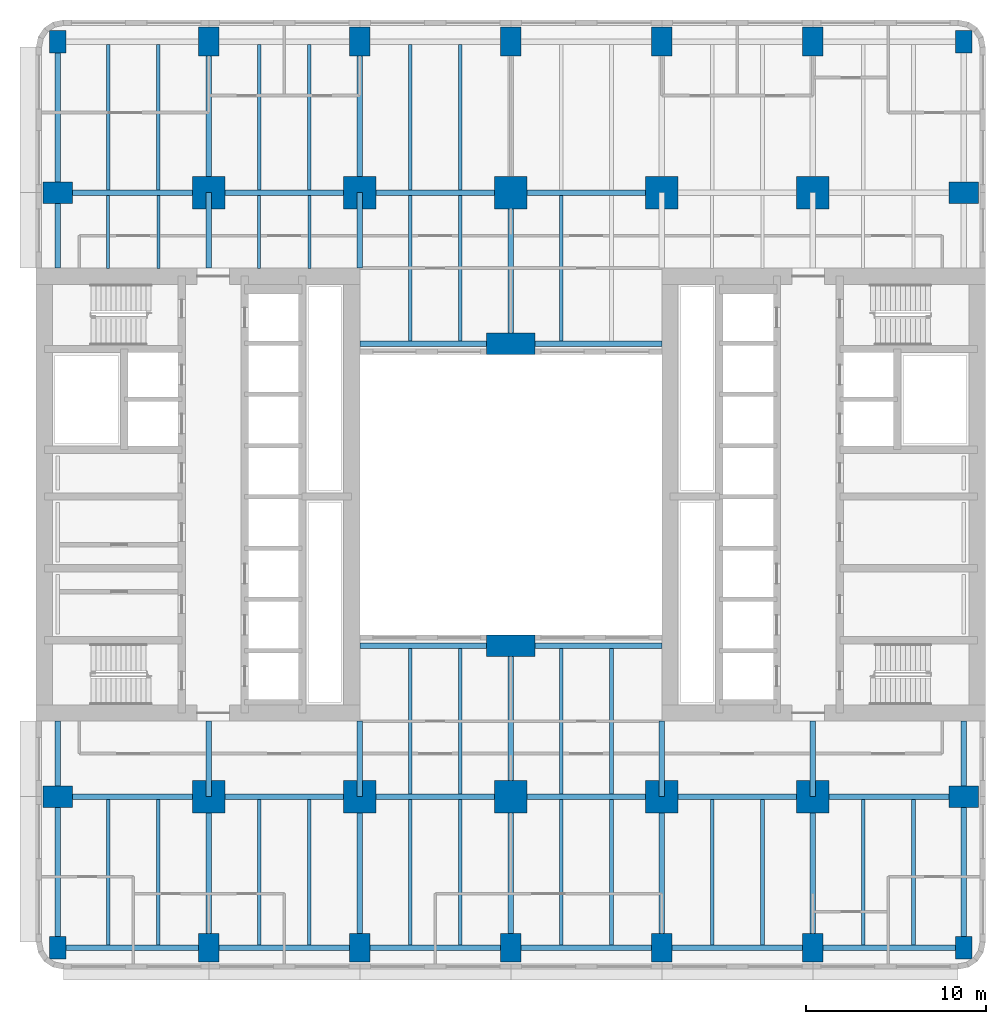
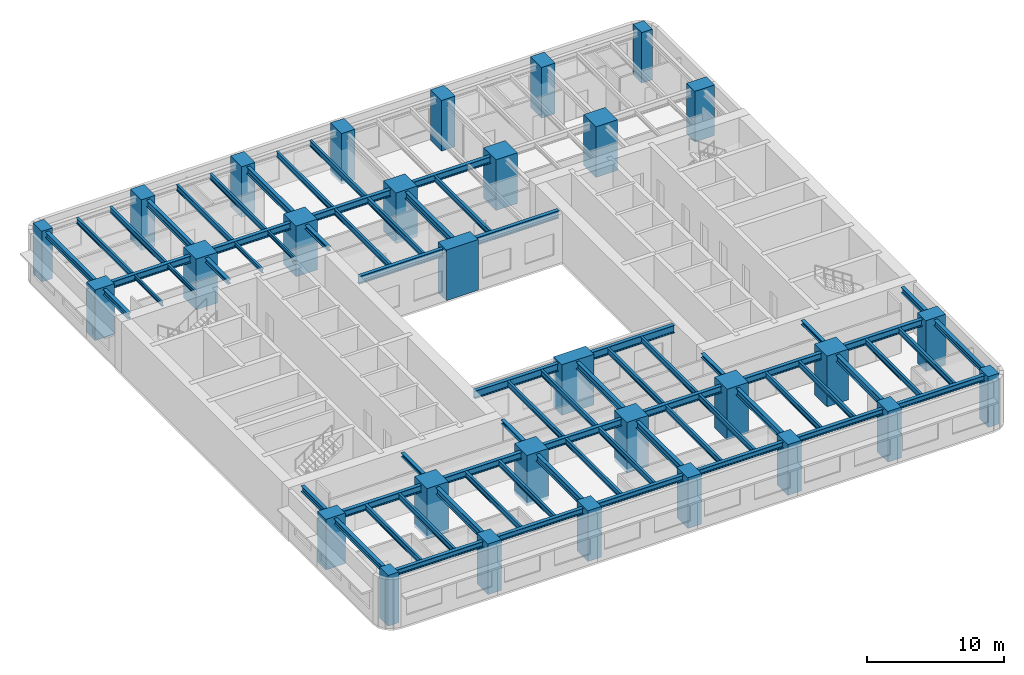
# One storey, part 1 of 12: 70 beams, 30 columns.
"""IFC4 building model written with IfcOpenShell, lengths in metres."""

from ifc_helpers import new_model, si_unit, direction, frame, origin, origin_2d, place, context, subcontext, project, spatial, rectangle, i_section, extrude, material, material_profile, profile_set, type_object, element, save


model = new_model("IFC4")

# Units and contexts
model_context = context("Model", 3, precision=1e-05, world=origin(), true_north=direction((0.0, 1.0)))
body_context = subcontext(model_context, "Body", "Model", "MODEL_VIEW")
ifc_project = project(units=[si_unit("LENGTHUNIT", "METRE"), si_unit("AREAUNIT", "SQUARE_METRE"), si_unit("VOLUMEUNIT", "CUBIC_METRE"), si_unit("PLANEANGLEUNIT", "RADIAN"), si_unit("MASSUNIT", "GRAM", prefix="KILO")], contexts=[model_context])

# Site, building, storey
site_placement = place(None, origin())
site = spatial("IfcSite", under=ifc_project, at=site_placement, CompositionType="ELEMENT")
building_placement = place(site_placement, origin())
building = spatial("IfcBuilding", under=site, at=building_placement, Name="Claustro Exchange Tower", CompositionType="ELEMENT")
storey_placement = place(building_placement, frame((0.0, 0.0, 50.39990234375)))
storey = spatial("IfcBuildingStorey", under=building, at=storey_placement, Name="L11", CompositionType="ELEMENT", Elevation=50.39990234375)

# Columns
ifc_material_1 = material(Name="Concrete HA-70 (C70/85)", Category="concrete")
ifc_material_profile_1 = material_profile(ifc_material_1, rectangle(XDim=1.800048828125, YDim=1.800048828125, at=origin_2d()), Name="RC 1800x1800")
ifc_profile_set_1 = profile_set([ifc_material_profile_1], Name="Concrete HA-70 (C70/85)")
column_type_1 = type_object("IfcColumnType", Name="C14 RC 1800x1800 HA-70 column", PredefinedType="COLUMN", material=ifc_profile_set_1)
for number, where, z_axis, x_axis, name in (
    (1, (8.39990234375, 8.39990234375, 0.0), (0.0, 0.0, 1.0), (1.0, 0.0, 0.0), "Column C14 2/B L11"),
    (2, (8.39990234375, 42.0, 0.0), (0.0, 0.0, 1.0), (1.0, 0.0, 0.0), "Column C14 2/F L11"),
    (3, (16.800048828125, 8.39990234375, 0.0), (0.0, 0.0, 1.0), (1.0, 0.0, 0.0), "Column C14 3/B L11"),
    (4, (16.800048828125, 42.0, 0.0), (0.0, 0.0, 1.0), (1.0, 0.0, 0.0), "Column C14 3/F L11"),
    (5, (25.199951171875, 8.39990234375, 0.0), (0.0, 0.0, 1.0), (1.0, 0.0, 0.0), "Column C14 4/B L11"),
    (6, (25.199951171875, 42.0, 0.0), (0.0, 0.0, 1.0), (1.0, 0.0, 0.0), "Column C14 4/F L11"),
    (7, (33.60009765625, 8.39990234375, 0.0), (0.0, 0.0, 1.0), (1.0, 0.0, 0.0), "Column C14 5/B L11"),
    (8, (33.60009765625, 42.0, 0.0), (0.0, 0.0, 1.0), (1.0, 0.0, 0.0), "Column C14 5/F L11"),
    (9, (42.0, 8.39990234375, 0.0), (0.0, 0.0, 1.0), (1.0, 0.0, 0.0), "Column C14 6/B L11"),
    (10, (42.0, 42.0, 0.0), (0.0, 0.0, 1.0), (1.0, 0.0, 0.0), "Column C14 6/F L11"),
):
    element("IfcColumn", number, at=place(storey_placement, frame(where, z_axis=z_axis, x_axis=x_axis)), inside=storey, type_object=column_type_1, Name=name, PredefinedType="COLUMN", context=body_context, shape_type="SweptSolid", body=[
        extrude(rectangle(XDim=1.800048828125, YDim=1.800048828125, at=origin_2d()), origin(), (0.0, 0.0, 1.0), 4.5),
    ])
ifc_material_2 = material(Name="Concrete HA-70 (C70/85)", Category="concrete")
ifc_material_profile_2 = material_profile(ifc_material_2, rectangle(XDim=1.199951171875, YDim=1.64990234375, at=origin_2d()), Name="RC 1200x1650")
ifc_profile_set_2 = profile_set([ifc_material_profile_2], Name="Concrete HA-70 (C70/85)")
column_type_2 = type_object("IfcColumnType", Name="C19 RC 1200x1650 HA-70 perimeter column", PredefinedType="COLUMN", material=ifc_profile_set_2)
for number, where, z_axis, x_axis, name in (
    (11, (0.0, 8.39990234375, 0.0), (0.0, 0.0, 1.0), (0.0, 1.0, 0.0), "Column C19 1/B L11"),
    (12, (0.0, 42.0, 0.0), (0.0, 0.0, 1.0), (0.0, 1.0, 0.0), "Column C19 1/F L11"),
    (13, (50.39990234375, 8.39990234375, 0.0), (0.0, 0.0, 1.0), (0.0, 1.0, 0.0), "Column C19 7/B L11"),
    (14, (50.39990234375, 42.0, 0.0), (0.0, 0.0, 1.0), (0.0, 1.0, 0.0), "Column C19 7/F L11"),
):
    element("IfcColumn", number, at=place(storey_placement, frame(where, z_axis=z_axis, x_axis=x_axis)), inside=storey, type_object=column_type_2, Name=name, PredefinedType="COLUMN", context=body_context, shape_type="SweptSolid", body=[
        extrude(rectangle(XDim=1.199951171875, YDim=1.64990234375, at=origin_2d()), origin(), (0.0, 0.0, 1.0), 4.5),
    ])
ifc_material_3 = material(Name="Concrete HA-70 (C70/85)", Category="concrete")
ifc_material_profile_3 = material_profile(ifc_material_3, rectangle(XDim=1.14990234375, YDim=1.60009765625, at=origin_2d()), Name="RC 1150x1600")
ifc_profile_set_3 = profile_set([ifc_material_profile_3], Name="Concrete HA-70 (C70/85)")
column_type_3 = type_object("IfcColumnType", Name="C20 RC 1150x1600 HA-70 perimeter column", PredefinedType="COLUMN", material=ifc_profile_set_3)
for number, where, z_axis, x_axis, name in (
    (15, (8.39990234375, 0.0, 0.0), (0.0, 0.0, 1.0), (1.0, 0.0, 0.0), "Column C20 2/A L11"),
    (16, (8.39990234375, 50.39990234375, 0.0), (0.0, 0.0, 1.0), (1.0, 0.0, 0.0), "Column C20 2/G L11"),
    (17, (16.800048828125, 0.0, 0.0), (0.0, 0.0, 1.0), (1.0, 0.0, 0.0), "Column C20 3/A L11"),
    (18, (16.800048828125, 50.39990234375, 0.0), (0.0, 0.0, 1.0), (1.0, 0.0, 0.0), "Column C20 3/G L11"),
    (19, (25.199951171875, 0.0, 0.0), (0.0, 0.0, 1.0), (1.0, 0.0, 0.0), "Column C20 4/A L11"),
    (20, (25.199951171875, 50.39990234375, 0.0), (0.0, 0.0, 1.0), (1.0, 0.0, 0.0), "Column C20 4/G L11"),
    (21, (33.60009765625, 0.0, 0.0), (0.0, 0.0, 1.0), (1.0, 0.0, 0.0), "Column C20 5/A L11"),
    (22, (33.60009765625, 50.39990234375, 0.0), (0.0, 0.0, 1.0), (1.0, 0.0, 0.0), "Column C20 5/G L11"),
    (23, (42.0, 0.0, 0.0), (0.0, 0.0, 1.0), (1.0, 0.0, 0.0), "Column C20 6/A L11"),
    (24, (42.0, 50.39990234375, 0.0), (0.0, 0.0, 1.0), (1.0, 0.0, 0.0), "Column C20 6/G L11"),
):
    element("IfcColumn", number, at=place(storey_placement, frame(where, z_axis=z_axis, x_axis=x_axis)), inside=storey, type_object=column_type_3, Name=name, PredefinedType="COLUMN", context=body_context, shape_type="SweptSolid", body=[
        extrude(rectangle(XDim=1.14990234375, YDim=1.60009765625, at=origin_2d()), origin(), (0.0, 0.0, 1.0), 4.5),
    ])
ifc_material_4 = material(Name="Concrete HA-70 (C70/85)", Category="concrete")
ifc_material_profile_4 = material_profile(ifc_material_4, rectangle(XDim=2.699951171875, YDim=1.199951171875, at=origin_2d()), Name="RC 2700x1200")
ifc_profile_set_4 = profile_set([ifc_material_profile_4], Name="Concrete HA-70 (C70/85)")
column_type_4 = type_object("IfcColumnType", Name="C30 RC 2700x1200 HA-70 light well column", PredefinedType="COLUMN", material=ifc_profile_set_4)
for number, where, z_axis, x_axis, name in (
    (25, (25.199951171875, 16.800048828125, 0.0), (0.0, 0.0, 1.0), (1.0, 0.0, 0.0), "Column C30 4/C L11"),
    (26, (25.199951171875, 33.60009765625, 0.0), (0.0, 0.0, 1.0), (1.0, 0.0, 0.0), "Column C30 4/E L11"),
):
    element("IfcColumn", number, at=place(storey_placement, frame(where, z_axis=z_axis, x_axis=x_axis)), inside=storey, type_object=column_type_4, Name=name, PredefinedType="COLUMN", context=body_context, shape_type="SweptSolid", body=[
        extrude(rectangle(XDim=2.699951171875, YDim=1.199951171875, at=origin_2d()), origin(), (0.0, 0.0, 1.0), 4.5),
    ])
ifc_material_5 = material(Name="Concrete HA-70 (C70/85)", Category="concrete")
ifc_material_profile_5 = material_profile(ifc_material_5, rectangle(XDim=0.89990234375, YDim=1.25, at=origin_2d()), Name="RC 900x1250")
ifc_profile_set_5 = profile_set([ifc_material_profile_5], Name="Concrete HA-70 (C70/85)")
column_type_5 = type_object("IfcColumnType", Name="C35 RC 900x1250 HA-70 corner column", PredefinedType="COLUMN", material=ifc_profile_set_5)
for number, where, z_axis, x_axis, name in (
    (27, (0.0, 0.0, 0.0), (0.0, 0.0, 1.0), (1.0, 0.0, 0.0), "Column C35 1/A L11"),
    (28, (0.0, 50.39990234375, 0.0), (0.0, 0.0, 1.0), (1.0, 0.0, 0.0), "Column C35 1/G L11"),
    (29, (50.39990234375, 0.0, 0.0), (0.0, 0.0, 1.0), (1.0, 0.0, 0.0), "Column C35 7/A L11"),
    (30, (50.39990234375, 50.39990234375, 0.0), (0.0, 0.0, 1.0), (1.0, 0.0, 0.0), "Column C35 7/G L11"),
):
    element("IfcColumn", number, at=place(storey_placement, frame(where, z_axis=z_axis, x_axis=x_axis)), inside=storey, type_object=column_type_5, Name=name, PredefinedType="COLUMN", context=body_context, shape_type="SweptSolid", body=[
        extrude(rectangle(XDim=0.89990234375, YDim=1.25, at=origin_2d()), origin(), (0.0, 0.0, 1.0), 4.5),
    ])

# Beams
ifc_material_6 = material(Name="Steel S355", Category="steel")
ifc_material_profile_6 = material_profile(ifc_material_6, i_section(OverallWidth=0.300048828125, OverallDepth=0.60009765625, WebThickness=0.015380859375, FlangeThickness=0.030029296875, FilletRadius=0.027099609375, at=origin_2d()), Name="HE 600 B")
ifc_profile_set_6 = profile_set([ifc_material_profile_6], Name="Steel S355")
beam_type_1 = type_object("IfcBeamType", Name="B1 HE 600 B floor girder", PredefinedType="BEAM", material=ifc_profile_set_6)
for number, where, z_axis, x_axis, name in (
    (31, (8.39990234375, 0.0, 4.0400390625), (0.0, 1.0, 0.0), (-1.0, 0.0, 0.0), "Beam B1 L12"),
    (32, (8.39990234375, 42.0, 4.0400390625), (0.0, 1.0, 0.0), (-1.0, 0.0, 0.0), "Beam B1 L12"),
    (33, (16.800048828125, 0.0, 4.0400390625), (0.0, 1.0, 0.0), (-1.0, 0.0, 0.0), "Beam B1 L12"),
    (34, (16.800048828125, 42.0, 4.0400390625), (0.0, 1.0, 0.0), (-1.0, 0.0, 0.0), "Beam B1 L12"),
    (35, (25.199951171875, 0.0, 4.0400390625), (0.0, 1.0, 0.0), (-1.0, 0.0, 0.0), "Beam B1 L12"),
):
    element("IfcBeam", number, at=place(storey_placement, frame(where, z_axis=z_axis, x_axis=x_axis)), inside=storey, type_object=beam_type_1, Name=name, PredefinedType="BEAM", context=body_context, shape_type="SweptSolid", body=[
        extrude(i_section(OverallWidth=0.300048828125, OverallDepth=0.60009765625, WebThickness=0.015380859375, FlangeThickness=0.030029296875, FilletRadius=0.027099609375, at=origin_2d()), origin(), (0.0, 0.0, 1.0), 8.39990234375),
    ])
beam_1_placement = place(storey_placement, frame((25.199951171875, 8.39990234375, 4.0400390625), z_axis=(0.0, 1.0, 0.0), x_axis=(-1.0, 0.0, 0.0)))
element("IfcBeam", 36, at=beam_1_placement, inside=storey, type_object=beam_type_1, Name="Beam B1 L12", PredefinedType="BEAM", context=body_context, shape_type="SweptSolid", body=[
    extrude(i_section(OverallWidth=0.300048828125, OverallDepth=0.60009765625, WebThickness=0.015380859375, FlangeThickness=0.030029296875, FilletRadius=0.027099609375, at=origin_2d()), origin(), (0.0, 0.0, 1.0), 8.400146484375),
])
for number, where, z_axis, x_axis, name in (
    (37, (25.199951171875, 33.60009765625, 4.0400390625), (0.0, 1.0, 0.0), (-1.0, 0.0, 0.0), "Beam B1 L12"),
    (38, (33.60009765625, 0.0, 4.0400390625), (0.0, 1.0, 0.0), (-1.0, 0.0, 0.0), "Beam B1 L12"),
    (39, (42.0, 0.0, 4.0400390625), (0.0, 1.0, 0.0), (-1.0, 0.0, 0.0), "Beam B1 L12"),
    (40, (0.0, 8.39990234375, 4.0400390625), (1.0, 0.0, 0.0), (0.0, 1.0, 0.0), "Beam B1 L12"),
):
    element("IfcBeam", number, at=place(storey_placement, frame(where, z_axis=z_axis, x_axis=x_axis)), inside=storey, type_object=beam_type_1, Name=name, PredefinedType="BEAM", context=body_context, shape_type="SweptSolid", body=[
        extrude(i_section(OverallWidth=0.300048828125, OverallDepth=0.60009765625, WebThickness=0.015380859375, FlangeThickness=0.030029296875, FilletRadius=0.027099609375, at=origin_2d()), origin(), (0.0, 0.0, 1.0), 8.39990234375),
    ])
beam_2_placement = place(storey_placement, frame((8.39990234375, 8.39990234375, 4.0400390625), z_axis=(1.0, 0.0, 0.0), x_axis=(0.0, 1.0, 0.0)))
element("IfcBeam", 41, at=beam_2_placement, inside=storey, type_object=beam_type_1, Name="Beam B1 L12", PredefinedType="BEAM", context=body_context, shape_type="SweptSolid", body=[
    extrude(i_section(OverallWidth=0.300048828125, OverallDepth=0.60009765625, WebThickness=0.015380859375, FlangeThickness=0.030029296875, FilletRadius=0.027099609375, at=origin_2d()), origin(), (0.0, 0.0, 1.0), 8.400146484375),
])
beam_3_placement = place(storey_placement, frame((16.800048828125, 8.39990234375, 4.0400390625), z_axis=(1.0, 0.0, 0.0), x_axis=(0.0, 1.0, 0.0)))
element("IfcBeam", 42, at=beam_3_placement, inside=storey, type_object=beam_type_1, Name="Beam B1 L12", PredefinedType="BEAM", context=body_context, shape_type="SweptSolid", body=[
    extrude(i_section(OverallWidth=0.300048828125, OverallDepth=0.60009765625, WebThickness=0.015380859375, FlangeThickness=0.030029296875, FilletRadius=0.027099609375, at=origin_2d()), origin(), (0.0, 0.0, 1.0), 8.39990234375),
])
beam_4_placement = place(storey_placement, frame((25.199951171875, 8.39990234375, 4.0400390625), z_axis=(1.0, 0.0, 0.0), x_axis=(0.0, 1.0, 0.0)))
element("IfcBeam", 43, at=beam_4_placement, inside=storey, type_object=beam_type_1, Name="Beam B1 L12", PredefinedType="BEAM", context=body_context, shape_type="SweptSolid", body=[
    extrude(i_section(OverallWidth=0.300048828125, OverallDepth=0.60009765625, WebThickness=0.015380859375, FlangeThickness=0.030029296875, FilletRadius=0.027099609375, at=origin_2d()), origin(), (0.0, 0.0, 1.0), 8.400146484375),
])
for number, where, z_axis, x_axis, name in (
    (44, (33.60009765625, 8.39990234375, 4.0400390625), (1.0, 0.0, 0.0), (0.0, 1.0, 0.0), "Beam B1 L12"),
    (45, (42.0, 8.39990234375, 4.0400390625), (1.0, 0.0, 0.0), (0.0, 1.0, 0.0), "Beam B1 L12"),
    (46, (0.0, 42.0, 4.0400390625), (1.0, 0.0, 0.0), (0.0, 1.0, 0.0), "Beam B1 L12"),
):
    element("IfcBeam", number, at=place(storey_placement, frame(where, z_axis=z_axis, x_axis=x_axis)), inside=storey, type_object=beam_type_1, Name=name, PredefinedType="BEAM", context=body_context, shape_type="SweptSolid", body=[
        extrude(i_section(OverallWidth=0.300048828125, OverallDepth=0.60009765625, WebThickness=0.015380859375, FlangeThickness=0.030029296875, FilletRadius=0.027099609375, at=origin_2d()), origin(), (0.0, 0.0, 1.0), 8.39990234375),
    ])
beam_5_placement = place(storey_placement, frame((8.39990234375, 42.0, 4.0400390625), z_axis=(1.0, 0.0, 0.0), x_axis=(0.0, 1.0, 0.0)))
element("IfcBeam", 47, at=beam_5_placement, inside=storey, type_object=beam_type_1, Name="Beam B1 L12", PredefinedType="BEAM", context=body_context, shape_type="SweptSolid", body=[
    extrude(i_section(OverallWidth=0.300048828125, OverallDepth=0.60009765625, WebThickness=0.015380859375, FlangeThickness=0.030029296875, FilletRadius=0.027099609375, at=origin_2d()), origin(), (0.0, 0.0, 1.0), 8.400146484375),
])
beam_6_placement = place(storey_placement, frame((16.800048828125, 42.0, 4.0400390625), z_axis=(1.0, 0.0, 0.0), x_axis=(0.0, 1.0, 0.0)))
element("IfcBeam", 48, at=beam_6_placement, inside=storey, type_object=beam_type_1, Name="Beam B1 L12", PredefinedType="BEAM", context=body_context, shape_type="SweptSolid", body=[
    extrude(i_section(OverallWidth=0.300048828125, OverallDepth=0.60009765625, WebThickness=0.015380859375, FlangeThickness=0.030029296875, FilletRadius=0.027099609375, at=origin_2d()), origin(), (0.0, 0.0, 1.0), 8.39990234375),
])
beam_7_placement = place(storey_placement, frame((25.199951171875, 42.0, 4.0400390625), z_axis=(1.0, 0.0, 0.0), x_axis=(0.0, 1.0, 0.0)))
element("IfcBeam", 49, at=beam_7_placement, inside=storey, type_object=beam_type_1, Name="Beam B1 L12", PredefinedType="BEAM", context=body_context, shape_type="SweptSolid", body=[
    extrude(i_section(OverallWidth=0.300048828125, OverallDepth=0.60009765625, WebThickness=0.015380859375, FlangeThickness=0.030029296875, FilletRadius=0.027099609375, at=origin_2d()), origin(), (0.0, 0.0, 1.0), 8.400146484375),
])
ifc_material_7 = material(Name="Steel S355", Category="steel")
ifc_material_profile_7 = material_profile(ifc_material_7, i_section(OverallWidth=0.300048828125, OverallDepth=0.68994140625, WebThickness=0.014404296875, FlangeThickness=0.027099609375, FilletRadius=0.027099609375, at=origin_2d()), Name="HE 700 A")
ifc_profile_set_7 = profile_set([ifc_material_profile_7], Name="Steel S355")
beam_type_2 = type_object("IfcBeamType", Name="B13 HE 700 A light well edge girder", PredefinedType="BEAM", material=ifc_profile_set_7)
beam_8_placement = place(storey_placement, frame((16.800048828125, 16.800048828125, 3.9951171875), z_axis=(1.0, 0.0, 0.0), x_axis=(0.0, 1.0, 0.0)))
element("IfcBeam", 50, at=beam_8_placement, inside=storey, type_object=beam_type_2, Name="Beam B13 L12", PredefinedType="BEAM", context=body_context, shape_type="SweptSolid", body=[
    extrude(i_section(OverallWidth=0.300048828125, OverallDepth=0.68994140625, WebThickness=0.014404296875, FlangeThickness=0.027099609375, FilletRadius=0.027099609375, at=origin_2d()), origin(), (0.0, 0.0, 1.0), 8.39990234375),
])
beam_9_placement = place(storey_placement, frame((25.199951171875, 16.800048828125, 3.9951171875), z_axis=(1.0, 0.0, 0.0), x_axis=(0.0, 1.0, 0.0)))
element("IfcBeam", 51, at=beam_9_placement, inside=storey, type_object=beam_type_2, Name="Beam B13 L12", PredefinedType="BEAM", context=body_context, shape_type="SweptSolid", body=[
    extrude(i_section(OverallWidth=0.300048828125, OverallDepth=0.68994140625, WebThickness=0.014404296875, FlangeThickness=0.027099609375, FilletRadius=0.027099609375, at=origin_2d()), origin(), (0.0, 0.0, 1.0), 8.400146484375),
])
beam_10_placement = place(storey_placement, frame((16.800048828125, 33.60009765625, 3.9951171875), z_axis=(1.0, 0.0, 0.0), x_axis=(0.0, 1.0, 0.0)))
element("IfcBeam", 52, at=beam_10_placement, inside=storey, type_object=beam_type_2, Name="Beam B13 L12", PredefinedType="BEAM", context=body_context, shape_type="SweptSolid", body=[
    extrude(i_section(OverallWidth=0.300048828125, OverallDepth=0.68994140625, WebThickness=0.014404296875, FlangeThickness=0.027099609375, FilletRadius=0.027099609375, at=origin_2d()), origin(), (0.0, 0.0, 1.0), 8.39990234375),
])
beam_11_placement = place(storey_placement, frame((25.199951171875, 33.60009765625, 3.9951171875), z_axis=(1.0, 0.0, 0.0), x_axis=(0.0, 1.0, 0.0)))
element("IfcBeam", 53, at=beam_11_placement, inside=storey, type_object=beam_type_2, Name="Beam B13 L12", PredefinedType="BEAM", context=body_context, shape_type="SweptSolid", body=[
    extrude(i_section(OverallWidth=0.300048828125, OverallDepth=0.68994140625, WebThickness=0.014404296875, FlangeThickness=0.027099609375, FilletRadius=0.027099609375, at=origin_2d()), origin(), (0.0, 0.0, 1.0), 8.400146484375),
])
ifc_material_8 = material(Name="Steel S355", Category="steel")
ifc_material_profile_8 = material_profile(ifc_material_8, i_section(OverallWidth=0.169921875, OverallDepth=0.360107421875, WebThickness=0.008056640625, FlangeThickness=0.0126953125, FilletRadius=0.01806640625, at=origin_2d()), Name="IPE 360")
ifc_profile_set_8 = profile_set([ifc_material_profile_8], Name="Steel S355")
beam_type_3 = type_object("IfcBeamType", Name="B16 IPE 360 short-span beam", PredefinedType="BEAM", material=ifc_profile_set_8)
for number, where, z_axis, x_axis, name in (
    (54, (2.800048828125, 37.7900390625, 4.16015625), (0.0, 1.0, 0.0), (-1.0, 0.0, 0.0), "Beam B16 L12"),
    (55, (5.60009765625, 37.7900390625, 4.16015625), (0.0, 1.0, 0.0), (-1.0, 0.0, 0.0), "Beam B16 L12"),
    (56, (11.199951171875, 37.7900390625, 4.16015625), (0.0, 1.0, 0.0), (-1.0, 0.0, 0.0), "Beam B16 L12"),
    (57, (14.0, 37.7900390625, 4.16015625), (0.0, 1.0, 0.0), (-1.0, 0.0, 0.0), "Beam B16 L12"),
):
    element("IfcBeam", number, at=place(storey_placement, frame(where, z_axis=z_axis, x_axis=x_axis)), inside=storey, type_object=beam_type_3, Name=name, PredefinedType="BEAM", context=body_context, shape_type="SweptSolid", body=[
        extrude(i_section(OverallWidth=0.169921875, OverallDepth=0.360107421875, WebThickness=0.008056640625, FlangeThickness=0.0126953125, FilletRadius=0.01806640625, at=origin_2d()), origin(), (0.0, 0.0, 1.0), 4.06005859375),
    ])
ifc_material_9 = material(Name="Steel S355", Category="steel")
ifc_material_profile_9 = material_profile(ifc_material_9, i_section(OverallWidth=0.199951171875, OverallDepth=0.5, WebThickness=0.01025390625, FlangeThickness=0.01611328125, FilletRadius=0.02099609375, at=origin_2d()), Name="IPE 500")
ifc_profile_set_9 = profile_set([ifc_material_profile_9], Name="Steel S355")
beam_type_4 = type_object("IfcBeamType", Name="B2 IPE 500 secondary beam", PredefinedType="BEAM", material=ifc_profile_set_9)
for number, where, z_axis, x_axis, name in (
    (58, (2.800048828125, 0.14990234375, 4.090087890625), (0.0, 1.0, 0.0), (-1.0, 0.0, 0.0), "Beam B2 L12"),
    (59, (5.60009765625, 0.14990234375, 4.090087890625), (0.0, 1.0, 0.0), (-1.0, 0.0, 0.0), "Beam B2 L12"),
    (60, (2.800048828125, 42.14990234375, 4.090087890625), (0.0, 1.0, 0.0), (-1.0, 0.0, 0.0), "Beam B2 L12"),
    (61, (5.60009765625, 42.14990234375, 4.090087890625), (0.0, 1.0, 0.0), (-1.0, 0.0, 0.0), "Beam B2 L12"),
    (62, (11.199951171875, 0.14990234375, 4.090087890625), (0.0, 1.0, 0.0), (-1.0, 0.0, 0.0), "Beam B2 L12"),
    (63, (14.0, 0.14990234375, 4.090087890625), (0.0, 1.0, 0.0), (-1.0, 0.0, 0.0), "Beam B2 L12"),
    (64, (11.199951171875, 42.14990234375, 4.090087890625), (0.0, 1.0, 0.0), (-1.0, 0.0, 0.0), "Beam B2 L12"),
    (65, (14.0, 42.14990234375, 4.090087890625), (0.0, 1.0, 0.0), (-1.0, 0.0, 0.0), "Beam B2 L12"),
    (66, (19.60009765625, 0.14990234375, 4.090087890625), (0.0, 1.0, 0.0), (-1.0, 0.0, 0.0), "Beam B2 L12"),
    (67, (22.39990234375, 0.14990234375, 4.090087890625), (0.0, 1.0, 0.0), (-1.0, 0.0, 0.0), "Beam B2 L12"),
):
    element("IfcBeam", number, at=place(storey_placement, frame(where, z_axis=z_axis, x_axis=x_axis)), inside=storey, type_object=beam_type_4, Name=name, PredefinedType="BEAM", context=body_context, shape_type="SweptSolid", body=[
        extrude(i_section(OverallWidth=0.199951171875, OverallDepth=0.5, WebThickness=0.01025390625, FlangeThickness=0.01611328125, FilletRadius=0.02099609375, at=origin_2d()), origin(), (0.0, 0.0, 1.0), 8.10009765625),
    ])
for number, where, z_axis, x_axis, name in (
    (68, (19.60009765625, 8.550048828125, 4.090087890625), (0.0, 1.0, 0.0), (-1.0, 0.0, 0.0), "Beam B2 L12"),
    (69, (22.39990234375, 8.550048828125, 4.090087890625), (0.0, 1.0, 0.0), (-1.0, 0.0, 0.0), "Beam B2 L12"),
):
    element("IfcBeam", number, at=place(storey_placement, frame(where, z_axis=z_axis, x_axis=x_axis)), inside=storey, type_object=beam_type_4, Name=name, PredefinedType="BEAM", context=body_context, shape_type="SweptSolid", body=[
        extrude(i_section(OverallWidth=0.199951171875, OverallDepth=0.5, WebThickness=0.01025390625, FlangeThickness=0.01611328125, FilletRadius=0.02099609375, at=origin_2d()), origin(), (0.0, 0.0, 1.0), 8.099853515625),
    ])
for number, where, z_axis, x_axis, name in (
    (70, (19.60009765625, 33.75, 4.090087890625), (0.0, 1.0, 0.0), (-1.0, 0.0, 0.0), "Beam B2 L12"),
    (71, (22.39990234375, 33.75, 4.090087890625), (0.0, 1.0, 0.0), (-1.0, 0.0, 0.0), "Beam B2 L12"),
    (72, (19.60009765625, 42.14990234375, 4.090087890625), (0.0, 1.0, 0.0), (-1.0, 0.0, 0.0), "Beam B2 L12"),
    (73, (22.39990234375, 42.14990234375, 4.090087890625), (0.0, 1.0, 0.0), (-1.0, 0.0, 0.0), "Beam B2 L12"),
    (74, (28.0, 0.14990234375, 4.090087890625), (0.0, 1.0, 0.0), (-1.0, 0.0, 0.0), "Beam B2 L12"),
    (75, (30.800048828125, 0.14990234375, 4.090087890625), (0.0, 1.0, 0.0), (-1.0, 0.0, 0.0), "Beam B2 L12"),
):
    element("IfcBeam", number, at=place(storey_placement, frame(where, z_axis=z_axis, x_axis=x_axis)), inside=storey, type_object=beam_type_4, Name=name, PredefinedType="BEAM", context=body_context, shape_type="SweptSolid", body=[
        extrude(i_section(OverallWidth=0.199951171875, OverallDepth=0.5, WebThickness=0.01025390625, FlangeThickness=0.01611328125, FilletRadius=0.02099609375, at=origin_2d()), origin(), (0.0, 0.0, 1.0), 8.10009765625),
    ])
for number, where, z_axis, x_axis, name in (
    (76, (28.0, 8.550048828125, 4.090087890625), (0.0, 1.0, 0.0), (-1.0, 0.0, 0.0), "Beam B2 L12"),
    (77, (30.800048828125, 8.550048828125, 4.090087890625), (0.0, 1.0, 0.0), (-1.0, 0.0, 0.0), "Beam B2 L12"),
):
    element("IfcBeam", number, at=place(storey_placement, frame(where, z_axis=z_axis, x_axis=x_axis)), inside=storey, type_object=beam_type_4, Name=name, PredefinedType="BEAM", context=body_context, shape_type="SweptSolid", body=[
        extrude(i_section(OverallWidth=0.199951171875, OverallDepth=0.5, WebThickness=0.01025390625, FlangeThickness=0.01611328125, FilletRadius=0.02099609375, at=origin_2d()), origin(), (0.0, 0.0, 1.0), 8.099853515625),
    ])
for number, where, z_axis, x_axis, name in (
    (78, (28.0, 33.75, 4.090087890625), (0.0, 1.0, 0.0), (-1.0, 0.0, 0.0), "Beam B2 L12"),
    (79, (36.39990234375, 0.14990234375, 4.090087890625), (0.0, 1.0, 0.0), (-1.0, 0.0, 0.0), "Beam B2 L12"),
    (80, (39.199951171875, 0.14990234375, 4.090087890625), (0.0, 1.0, 0.0), (-1.0, 0.0, 0.0), "Beam B2 L12"),
    (81, (44.800048828125, 0.14990234375, 4.090087890625), (0.0, 1.0, 0.0), (-1.0, 0.0, 0.0), "Beam B2 L12"),
    (82, (47.60009765625, 0.14990234375, 4.090087890625), (0.0, 1.0, 0.0), (-1.0, 0.0, 0.0), "Beam B2 L12"),
):
    element("IfcBeam", number, at=place(storey_placement, frame(where, z_axis=z_axis, x_axis=x_axis)), inside=storey, type_object=beam_type_4, Name=name, PredefinedType="BEAM", context=body_context, shape_type="SweptSolid", body=[
        extrude(i_section(OverallWidth=0.199951171875, OverallDepth=0.5, WebThickness=0.01025390625, FlangeThickness=0.01611328125, FilletRadius=0.02099609375, at=origin_2d()), origin(), (0.0, 0.0, 1.0), 8.10009765625),
    ])
ifc_material_10 = material(Name="Steel S355", Category="steel")
ifc_material_profile_10 = material_profile(ifc_material_10, i_section(OverallWidth=0.300048828125, OverallDepth=0.360107421875, WebThickness=0.012451171875, FlangeThickness=0.0224609375, FilletRadius=0.027099609375, at=origin_2d()), Name="HE 360 B")
ifc_profile_set_10 = profile_set([ifc_material_profile_10], Name="Steel S355")
beam_type_5 = type_object("IfcBeamType", Name="B29 HE 360 B column to core link beam", PredefinedType="BEAM", material=ifc_profile_set_10)
beam_12_placement = place(storey_placement, frame((8.39990234375, 8.39990234375, 4.16015625), z_axis=(0.0, 1.0, 0.0), x_axis=(-1.0, 0.0, 0.0)))
element("IfcBeam", 83, at=beam_12_placement, inside=storey, type_object=beam_type_5, Name="Beam B29 L12", PredefinedType="BEAM", context=body_context, shape_type="SweptSolid", body=[
    extrude(i_section(OverallWidth=0.300048828125, OverallDepth=0.360107421875, WebThickness=0.012451171875, FlangeThickness=0.0224609375, FilletRadius=0.027099609375, at=origin_2d()), origin(), (0.0, 0.0, 1.0), 4.2001953125),
])
beam_13_placement = place(storey_placement, frame((8.39990234375, 37.800048828125, 4.16015625), z_axis=(0.0, 1.0, 0.0), x_axis=(-1.0, 0.0, 0.0)))
element("IfcBeam", 84, at=beam_13_placement, inside=storey, type_object=beam_type_5, Name="Beam B29 L12", PredefinedType="BEAM", context=body_context, shape_type="SweptSolid", body=[
    extrude(i_section(OverallWidth=0.300048828125, OverallDepth=0.360107421875, WebThickness=0.012451171875, FlangeThickness=0.0224609375, FilletRadius=0.027099609375, at=origin_2d()), origin(), (0.0, 0.0, 1.0), 4.199951171875),
])
beam_14_placement = place(storey_placement, frame((16.800048828125, 8.39990234375, 4.16015625), z_axis=(0.0, 1.0, 0.0), x_axis=(-1.0, 0.0, 0.0)))
element("IfcBeam", 85, at=beam_14_placement, inside=storey, type_object=beam_type_5, Name="Beam B29 L12", PredefinedType="BEAM", context=body_context, shape_type="SweptSolid", body=[
    extrude(i_section(OverallWidth=0.300048828125, OverallDepth=0.360107421875, WebThickness=0.012451171875, FlangeThickness=0.0224609375, FilletRadius=0.027099609375, at=origin_2d()), origin(), (0.0, 0.0, 1.0), 4.2001953125),
])
beam_15_placement = place(storey_placement, frame((16.800048828125, 37.800048828125, 4.16015625), z_axis=(0.0, 1.0, 0.0), x_axis=(-1.0, 0.0, 0.0)))
element("IfcBeam", 86, at=beam_15_placement, inside=storey, type_object=beam_type_5, Name="Beam B29 L12", PredefinedType="BEAM", context=body_context, shape_type="SweptSolid", body=[
    extrude(i_section(OverallWidth=0.300048828125, OverallDepth=0.360107421875, WebThickness=0.012451171875, FlangeThickness=0.0224609375, FilletRadius=0.027099609375, at=origin_2d()), origin(), (0.0, 0.0, 1.0), 4.199951171875),
])
for number, where, z_axis, x_axis, name in (
    (87, (33.60009765625, 8.39990234375, 4.16015625), (0.0, 1.0, 0.0), (-1.0, 0.0, 0.0), "Beam B29 L12"),
    (88, (42.0, 8.39990234375, 4.16015625), (0.0, 1.0, 0.0), (-1.0, 0.0, 0.0), "Beam B29 L12"),
):
    element("IfcBeam", number, at=place(storey_placement, frame(where, z_axis=z_axis, x_axis=x_axis)), inside=storey, type_object=beam_type_5, Name=name, PredefinedType="BEAM", context=body_context, shape_type="SweptSolid", body=[
        extrude(i_section(OverallWidth=0.300048828125, OverallDepth=0.360107421875, WebThickness=0.012451171875, FlangeThickness=0.0224609375, FilletRadius=0.027099609375, at=origin_2d()), origin(), (0.0, 0.0, 1.0), 4.2001953125),
    ])
ifc_material_11 = material(Name="Steel S355", Category="steel")
ifc_material_profile_11 = material_profile(ifc_material_11, i_section(OverallWidth=0.300048828125, OverallDepth=0.5, WebThickness=0.014404296875, FlangeThickness=0.028076171875, FilletRadius=0.027099609375, at=origin_2d()), Name="HE 500 B")
ifc_profile_set_11 = profile_set([ifc_material_profile_11], Name="Steel S355")
beam_type_6 = type_object("IfcBeamType", Name="B3 HE 500 B spandrel edge girder", PredefinedType="SPANDREL", material=ifc_profile_set_11)
beam_16_placement = place(storey_placement, frame((0.0, 0.0, 4.090087890625), z_axis=(0.0, 1.0, 0.0), x_axis=(-1.0, 0.0, 0.0)))
element("IfcBeam", 89, at=beam_16_placement, inside=storey, type_object=beam_type_6, Name="Beam B3 L12", PredefinedType="SPANDREL", context=body_context, shape_type="SweptSolid", body=[
    extrude(i_section(OverallWidth=0.300048828125, OverallDepth=0.5, WebThickness=0.014404296875, FlangeThickness=0.028076171875, FilletRadius=0.027099609375, at=origin_2d()), origin(), (0.0, 0.0, 1.0), 8.39990234375),
])
beam_17_placement = place(storey_placement, frame((0.0, 8.39990234375, 4.090087890625), z_axis=(0.0, 1.0, 0.0), x_axis=(-1.0, 0.0, 0.0)))
element("IfcBeam", 90, at=beam_17_placement, inside=storey, type_object=beam_type_6, Name="Beam B3 L12", PredefinedType="SPANDREL", context=body_context, shape_type="SweptSolid", body=[
    extrude(i_section(OverallWidth=0.300048828125, OverallDepth=0.5, WebThickness=0.014404296875, FlangeThickness=0.028076171875, FilletRadius=0.027099609375, at=origin_2d()), origin(), (0.0, 0.0, 1.0), 4.2001953125),
])
beam_18_placement = place(storey_placement, frame((0.0, 37.800048828125, 4.090087890625), z_axis=(0.0, 1.0, 0.0), x_axis=(-1.0, 0.0, 0.0)))
element("IfcBeam", 91, at=beam_18_placement, inside=storey, type_object=beam_type_6, Name="Beam B3 L12", PredefinedType="SPANDREL", context=body_context, shape_type="SweptSolid", body=[
    extrude(i_section(OverallWidth=0.300048828125, OverallDepth=0.5, WebThickness=0.014404296875, FlangeThickness=0.028076171875, FilletRadius=0.027099609375, at=origin_2d()), origin(), (0.0, 0.0, 1.0), 4.199951171875),
])
for number, where, z_axis, x_axis, name in (
    (92, (0.0, 42.0, 4.090087890625), (0.0, 1.0, 0.0), (-1.0, 0.0, 0.0), "Beam B3 L12"),
    (93, (50.39990234375, 0.0, 4.090087890625), (0.0, 1.0, 0.0), (-1.0, 0.0, 0.0), "Beam B3 L12"),
):
    element("IfcBeam", number, at=place(storey_placement, frame(where, z_axis=z_axis, x_axis=x_axis)), inside=storey, type_object=beam_type_6, Name=name, PredefinedType="SPANDREL", context=body_context, shape_type="SweptSolid", body=[
        extrude(i_section(OverallWidth=0.300048828125, OverallDepth=0.5, WebThickness=0.014404296875, FlangeThickness=0.028076171875, FilletRadius=0.027099609375, at=origin_2d()), origin(), (0.0, 0.0, 1.0), 8.39990234375),
    ])
beam_19_placement = place(storey_placement, frame((50.39990234375, 8.39990234375, 4.090087890625), z_axis=(0.0, 1.0, 0.0), x_axis=(-1.0, 0.0, 0.0)))
element("IfcBeam", 94, at=beam_19_placement, inside=storey, type_object=beam_type_6, Name="Beam B3 L12", PredefinedType="SPANDREL", context=body_context, shape_type="SweptSolid", body=[
    extrude(i_section(OverallWidth=0.300048828125, OverallDepth=0.5, WebThickness=0.014404296875, FlangeThickness=0.028076171875, FilletRadius=0.027099609375, at=origin_2d()), origin(), (0.0, 0.0, 1.0), 4.2001953125),
])
beam_20_placement = place(storey_placement, frame((0.0, 0.0, 4.090087890625), z_axis=(1.0, 0.0, 0.0), x_axis=(0.0, 1.0, 0.0)))
element("IfcBeam", 95, at=beam_20_placement, inside=storey, type_object=beam_type_6, Name="Beam B3 L12", PredefinedType="SPANDREL", context=body_context, shape_type="SweptSolid", body=[
    extrude(i_section(OverallWidth=0.300048828125, OverallDepth=0.5, WebThickness=0.014404296875, FlangeThickness=0.028076171875, FilletRadius=0.027099609375, at=origin_2d()), origin(), (0.0, 0.0, 1.0), 8.39990234375),
])
beam_21_placement = place(storey_placement, frame((8.39990234375, 0.0, 4.090087890625), z_axis=(1.0, 0.0, 0.0), x_axis=(0.0, 1.0, 0.0)))
element("IfcBeam", 96, at=beam_21_placement, inside=storey, type_object=beam_type_6, Name="Beam B3 L12", PredefinedType="SPANDREL", context=body_context, shape_type="SweptSolid", body=[
    extrude(i_section(OverallWidth=0.300048828125, OverallDepth=0.5, WebThickness=0.014404296875, FlangeThickness=0.028076171875, FilletRadius=0.027099609375, at=origin_2d()), origin(), (0.0, 0.0, 1.0), 8.400146484375),
])
beam_22_placement = place(storey_placement, frame((16.800048828125, 0.0, 4.090087890625), z_axis=(1.0, 0.0, 0.0), x_axis=(0.0, 1.0, 0.0)))
element("IfcBeam", 97, at=beam_22_placement, inside=storey, type_object=beam_type_6, Name="Beam B3 L12", PredefinedType="SPANDREL", context=body_context, shape_type="SweptSolid", body=[
    extrude(i_section(OverallWidth=0.300048828125, OverallDepth=0.5, WebThickness=0.014404296875, FlangeThickness=0.028076171875, FilletRadius=0.027099609375, at=origin_2d()), origin(), (0.0, 0.0, 1.0), 8.39990234375),
])
beam_23_placement = place(storey_placement, frame((25.199951171875, 0.0, 4.090087890625), z_axis=(1.0, 0.0, 0.0), x_axis=(0.0, 1.0, 0.0)))
element("IfcBeam", 98, at=beam_23_placement, inside=storey, type_object=beam_type_6, Name="Beam B3 L12", PredefinedType="SPANDREL", context=body_context, shape_type="SweptSolid", body=[
    extrude(i_section(OverallWidth=0.300048828125, OverallDepth=0.5, WebThickness=0.014404296875, FlangeThickness=0.028076171875, FilletRadius=0.027099609375, at=origin_2d()), origin(), (0.0, 0.0, 1.0), 8.400146484375),
])
for number, where, z_axis, x_axis, name in (
    (99, (33.60009765625, 0.0, 4.090087890625), (1.0, 0.0, 0.0), (0.0, 1.0, 0.0), "Beam B3 L12"),
    (100, (42.0, 0.0, 4.090087890625), (1.0, 0.0, 0.0), (0.0, 1.0, 0.0), "Beam B3 L12"),
):
    element("IfcBeam", number, at=place(storey_placement, frame(where, z_axis=z_axis, x_axis=x_axis)), inside=storey, type_object=beam_type_6, Name=name, PredefinedType="SPANDREL", context=body_context, shape_type="SweptSolid", body=[
        extrude(i_section(OverallWidth=0.300048828125, OverallDepth=0.5, WebThickness=0.014404296875, FlangeThickness=0.028076171875, FilletRadius=0.027099609375, at=origin_2d()), origin(), (0.0, 0.0, 1.0), 8.39990234375),
    ])

save(model, "model.ifc")
